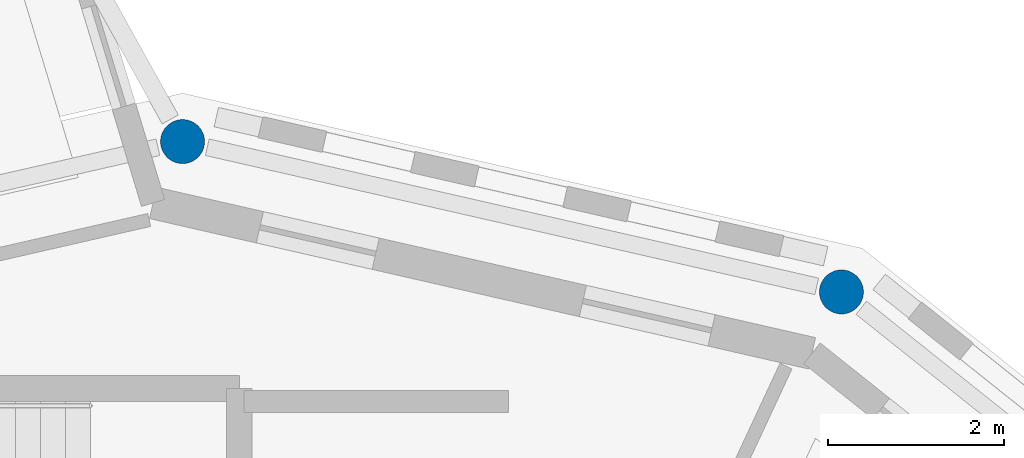
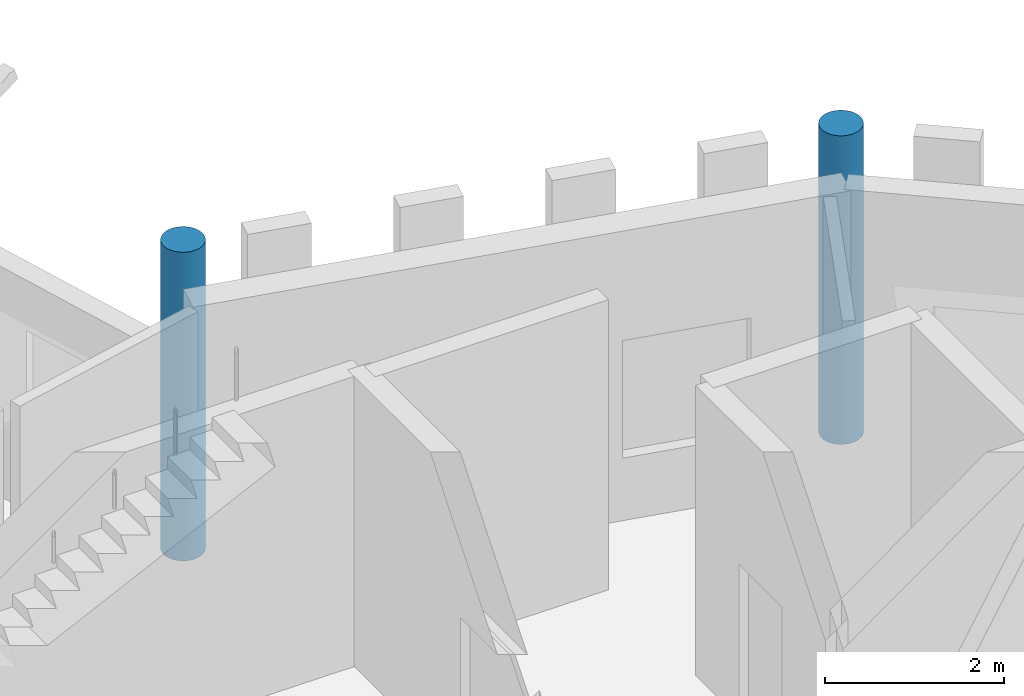
# One storey, part 4 of 90: 2 columns.
"""IFC4 building model written with IfcOpenShell, lengths in metres."""

from ifc_helpers import new_model, si_unit, direction, frame, origin, origin_2d, place, context, subcontext, project, spatial, circle, extrude, material, material_profile, profile_set, type_object, element, save


model = new_model("IFC4")

# Units and contexts
model_context = context("Model", 3, precision=1e-05, world=origin(), true_north=direction((0.0, 1.0)))
body_context = subcontext(model_context, "Body", "Model", "MODEL_VIEW")
ifc_project = project(units=[si_unit("LENGTHUNIT", "METRE"), si_unit("AREAUNIT", "SQUARE_METRE"), si_unit("VOLUMEUNIT", "CUBIC_METRE"), si_unit("PLANEANGLEUNIT", "RADIAN"), si_unit("MASSUNIT", "GRAM", prefix="KILO")], contexts=[model_context])

# Site, building, storey
site_placement = place(None, origin())
site = spatial("IfcSite", under=ifc_project, at=site_placement, CompositionType="ELEMENT")
building_placement = place(site_placement, origin())
building = spatial("IfcBuilding", under=site, at=building_placement, Name="Wrenclough Park School", CompositionType="ELEMENT")
storey_placement = place(building_placement, frame((0.0, 0.0, 8.39990234375)))
storey = spatial("IfcBuildingStorey", under=building, at=storey_placement, Name="L02", CompositionType="ELEMENT", Elevation=8.39990234375)

# Columns
ifc_material = material(Name="Concrete C40/50", Category="concrete")
ifc_material_profile = material_profile(ifc_material, circle(Radius=0.25, at=origin_2d()), Name="RC COL D500")
ifc_profile_set = profile_set([ifc_material_profile], Name="Concrete C40/50")
column_type = type_object("IfcColumnType", Name="STR-COL-RCD500", PredefinedType="COLUMN", material=ifc_profile_set)
for number, where, z_axis, x_axis, name in (
    (1, (43.984619140625, 39.041748046875, 0.0), (0.0, 0.0, 1.0), (-0.90100131981, 0.43381634559, 0.0), "D2 L02 column D2-OUT-03"),
    (2, (36.5, 40.75, 0.0), (0.0, 0.0, 1.0), (-1.0, 0.0, 0.0), "D2 L02 column D2-OUT-04"),
):
    element("IfcColumn", number, at=place(storey_placement, frame(where, z_axis=z_axis, x_axis=x_axis)), inside=storey, type_object=column_type, Name=name, PredefinedType="COLUMN", context=body_context, shape_type="SweptSolid", body=[
        extrude(circle(Radius=0.25, at=origin_2d()), origin(), (0.0, 0.0, 1.0), 4.2001953125),
    ])

save(model, "model.ifc")
